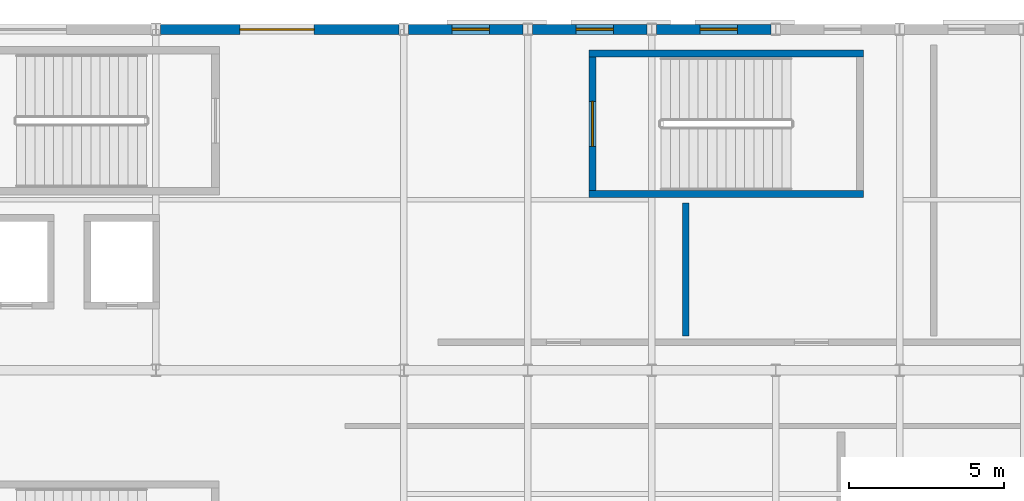
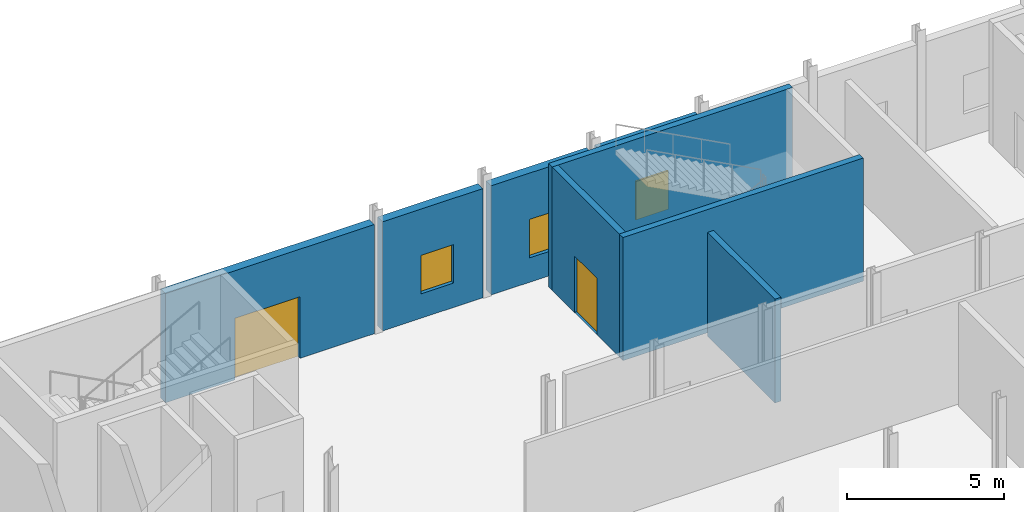
# One storey, part 80 of 101: 8 walls, 3 windows, 2 doors, 5 openings.
"""IFC4 building model written with IfcOpenShell, lengths in metres."""

from ifc_helpers import new_model, si_unit, derived_unit, direction, frame, frame_2d, origin, place, context, subcontext, project, spatial, rectangle, extrude, material, layer, layer_set, type_object, element, fill, save


model = new_model("IFC4")

# Units and contexts
model_context = context("Model", 3, precision=1e-05, world=origin(), true_north=direction((0.0, 1.0)))
body_context = subcontext(model_context, "Body", "Model", "MODEL_VIEW")
ifc_project = project(units=[si_unit("LENGTHUNIT", "METRE"), si_unit("AREAUNIT", "SQUARE_METRE"), si_unit("VOLUMEUNIT", "CUBIC_METRE"), si_unit("PLANEANGLEUNIT", "RADIAN"), si_unit("MASSUNIT", "GRAM", prefix="KILO"), derived_unit("THERMALTRANSMITTANCEUNIT", [(si_unit("POWERUNIT", "WATT"), 1), (si_unit("LENGTHUNIT", "METRE"), -2), (si_unit("THERMODYNAMICTEMPERATUREUNIT", "KELVIN"), -1)])], contexts=[model_context])

# Site, building, storey
site_placement = place(None, origin())
site = spatial("IfcSite", under=ifc_project, at=site_placement, CompositionType="ELEMENT")
building_placement = place(site_placement, origin())
building = spatial("IfcBuilding", under=site, at=building_placement, Name="Keldorne Ridge Multi-Sports Centre", CompositionType="ELEMENT")
storey_placement = place(building_placement, origin())
storey = spatial("IfcBuildingStorey", under=building, at=storey_placement, Name="L00", CompositionType="ELEMENT", Elevation=0.0)

# Wall
ifc_material_1 = material(Name="Moisture-resistant stud plumbing wall")
ifc_layer_1 = layer(ifc_material_1, 0.219970703125)
ifc_layer_set_1 = layer_set([ifc_layer_1])
wall_type_1 = type_object("IfcWallType", Name="WAL-PL-01", PredefinedType="PLUMBINGWALL", material=ifc_layer_set_1)
wall_1_placement = place(storey_placement, frame((129.10009765625, 107.10009765625, 0.0), z_axis=(0.0, 0.0, 1.0), x_axis=(0.0, 1.0, 0.0)))
element("IfcWall", 1, at=wall_1_placement, inside=storey, type_object=wall_type_1, Name="Ground WC/office divider IW-L00-029", PredefinedType="PLUMBINGWALL", context=body_context, shape_type="SweptSolid", body=[
    extrude(rectangle(XDim=4.2998046875, YDim=0.219970703125, at=frame_2d((2.14990234375, 0.0))), origin(), (0.0, 0.0, 1.0), 4.050048828125),
])

# Wall, opening, door
ifc_material_2 = material(Name="Precast concrete C40/50", Category="concrete")
ifc_layer_2 = layer(ifc_material_2, 0.320068359375)
ifc_layer_set_2 = layer_set([ifc_layer_2], Name="Precast concrete C40/50")
wall_type_2 = type_object("IfcWallType", Name="WAL-PR-W1", PredefinedType="STANDARD", material=ifc_layer_set_2)
wall_2_placement = place(storey_placement, frame((119.847900390625, 117.0, 0.0), z_axis=(0.0, 0.0, 1.0), x_axis=(-1.0, 0.0, 0.0)))
wall_2 = element("IfcWall", 2, at=wall_2_placement, inside=storey, type_object=wall_type_2, Name="East Wing L00 north facade 2", PredefinedType="STANDARD", context=body_context, shape_type="SweptSolid", body=[
    extrude(rectangle(XDim=7.69580078125, YDim=0.320068359375, at=frame_2d((3.847900390625, 0.0))), origin(), (0.0, 0.0, 1.0), 4.2548828125),
])
opening_1_placement = place(wall_2_placement, frame((2.738037109375, 0.0, 0.0)))
opening_1 = element("IfcOpeningElement", 3, at=opening_1_placement, cuts=wall_2, Name="Opening ED-01", PredefinedType="OPENING", context=body_context, shape_type="SweptSolid", body=[
    extrude(rectangle(XDim=2.39990234375, YDim=2.39990234375, at=frame_2d((1.199951171875, 1.199951171875))), frame((0.0, 0.169921875, 0.0), z_axis=(0.0, -1.0, 0.0), x_axis=(1.0, 0.0, 0.0)), (0.0, 0.0, 1.0), 0.340087890625),
])
ifc_material_3 = material(Name="Anodized aluminium", Category="aluminium")
door_type_1 = type_object("IfcDoorType", Name="DR-ED-01", OperationType="NOTDEFINED", PredefinedType="DOOR", material=ifc_material_3)
door_1_placement = place(opening_1_placement, origin())
door_1 = element("IfcDoor", 4, at=door_1_placement, inside=storey, type_object=door_type_1, Name="East Wing north exit door 2", OperationType="DOUBLE_DOOR_SINGLE_SWING", OverallHeight=2.39990234375, OverallWidth=2.39990234375, PredefinedType="DOOR", context=body_context, shape_type="SweptSolid", body=[
    extrude(rectangle(XDim=2.39990234375, YDim=2.39990234375, at=frame_2d((1.199951171875, 1.199951171875))), frame((0.0, 0.02490234375, 0.0), z_axis=(0.0, -1.0, 0.0), x_axis=(1.0, 0.0, 0.0)), (0.0, 0.0, 1.0), 0.050048828125),
])
fill(opening_1, door_1)

# Wall, opening, window
wall_3_placement = place(storey_placement, frame((123.847900390625, 117.0, 0.0), z_axis=(0.0, 0.0, 1.0), x_axis=(-1.0, 0.0, 0.0)))
wall_3 = element("IfcWall", 5, at=wall_3_placement, inside=storey, type_object=wall_type_2, Name="East Wing L00 north facade 3", PredefinedType="STANDARD", context=body_context, shape_type="SweptSolid", body=[
    extrude(rectangle(XDim=3.69580078125, YDim=0.320068359375, at=frame_2d((1.847900390625, 0.0))), origin(), (0.0, 0.0, 1.0), 4.2548828125),
])
opening_2_placement = place(wall_3_placement, frame((1.087890625, 0.0, 0.949951171875)))
opening_2 = element("IfcOpeningElement", 6, at=opening_2_placement, cuts=wall_3, Name="Opening W-03", PredefinedType="OPENING", context=body_context, shape_type="SweptSolid", body=[
    extrude(rectangle(XDim=1.199951171875, YDim=1.5, at=frame_2d((0.60009765625, 0.75))), frame((0.0, 0.169921875, 0.0), z_axis=(0.0, -1.0, 0.0), x_axis=(1.0, 0.0, 0.0)), (0.0, 0.0, 1.0), 0.340087890625),
])
window_type = type_object("IfcWindowType", Name="WIN-W-03", PartitioningType="SINGLE_PANEL", PredefinedType="WINDOW", material=ifc_material_3)
window_1_placement = place(opening_2_placement, origin())
window_1 = element("IfcWindow", 7, at=window_1_placement, inside=storey, type_object=window_type, Name="East Wing L00 north window W-041", OverallHeight=1.5, OverallWidth=1.199951171875, PartitioningType="SINGLE_PANEL", PredefinedType="WINDOW", context=body_context, shape_type="SweptSolid", body=[
    extrude(rectangle(XDim=1.199951171875, YDim=1.5, at=frame_2d((0.60009765625, 0.75))), frame((0.0, 0.030029296875, 0.0), z_axis=(0.0, -1.0, 0.0), x_axis=(1.0, 0.0, 0.0)), (0.0, 0.0, 1.0), 0.06005859375),
])
fill(opening_2, window_1)

wall_4_placement = place(storey_placement, frame((127.847900390625, 117.0, 0.0), z_axis=(0.0, 0.0, 1.0), x_axis=(-1.0, 0.0, 0.0)))
wall_4 = element("IfcWall", 8, at=wall_4_placement, inside=storey, type_object=wall_type_2, Name="East Wing L00 north facade 4", PredefinedType="STANDARD", context=body_context, shape_type="SweptSolid", body=[
    extrude(rectangle(XDim=3.69580078125, YDim=0.320068359375, at=frame_2d((1.847900390625, 0.0))), origin(), (0.0, 0.0, 1.0), 4.2548828125),
])
opening_3_placement = place(wall_4_placement, frame((1.087890625, 0.0, 0.949951171875)))
opening_3 = element("IfcOpeningElement", 9, at=opening_3_placement, cuts=wall_4, Name="Opening W-03", PredefinedType="OPENING", context=body_context, shape_type="SweptSolid", body=[
    extrude(rectangle(XDim=1.199951171875, YDim=1.5, at=frame_2d((0.60009765625, 0.75))), frame((0.0, 0.169921875, 0.0), z_axis=(0.0, -1.0, 0.0), x_axis=(1.0, 0.0, 0.0)), (0.0, 0.0, 1.0), 0.340087890625),
])
window_2_placement = place(opening_3_placement, origin())
window_2 = element("IfcWindow", 10, at=window_2_placement, inside=storey, type_object=window_type, Name="East Wing L00 north window W-042", OverallHeight=1.5, OverallWidth=1.199951171875, PartitioningType="SINGLE_PANEL", PredefinedType="WINDOW", context=body_context, shape_type="SweptSolid", body=[
    extrude(rectangle(XDim=1.199951171875, YDim=1.5, at=frame_2d((0.60009765625, 0.75))), frame((0.0, 0.030029296875, 0.0), z_axis=(0.0, -1.0, 0.0), x_axis=(1.0, 0.0, 0.0)), (0.0, 0.0, 1.0), 0.06005859375),
])
fill(opening_3, window_2)

wall_5_placement = place(storey_placement, frame((131.847900390625, 117.0, 0.0), z_axis=(0.0, 0.0, 1.0), x_axis=(-1.0, 0.0, 0.0)))
wall_5 = element("IfcWall", 11, at=wall_5_placement, inside=storey, type_object=wall_type_2, Name="East Wing L00 north facade 5", PredefinedType="STANDARD", context=body_context, shape_type="SweptSolid", body=[
    extrude(rectangle(XDim=3.69580078125, YDim=0.320068359375, at=frame_2d((1.847900390625, 0.0))), origin(), (0.0, 0.0, 1.0), 4.2548828125),
])
opening_4_placement = place(wall_5_placement, frame((1.087890625, 0.0, 0.949951171875)))
opening_4 = element("IfcOpeningElement", 12, at=opening_4_placement, cuts=wall_5, Name="Opening W-03", PredefinedType="OPENING", context=body_context, shape_type="SweptSolid", body=[
    extrude(rectangle(XDim=1.199951171875, YDim=1.5, at=frame_2d((0.60009765625, 0.75))), frame((0.0, 0.169921875, 0.0), z_axis=(0.0, -1.0, 0.0), x_axis=(1.0, 0.0, 0.0)), (0.0, 0.0, 1.0), 0.340087890625),
])
window_3_placement = place(opening_4_placement, origin())
window_3 = element("IfcWindow", 13, at=window_3_placement, inside=storey, type_object=window_type, Name="East Wing L00 north window W-043", OverallHeight=1.5, OverallWidth=1.199951171875, PartitioningType="SINGLE_PANEL", PredefinedType="WINDOW", context=body_context, shape_type="SweptSolid", body=[
    extrude(rectangle(XDim=1.199951171875, YDim=1.5, at=frame_2d((0.60009765625, 0.75))), frame((0.0, 0.030029296875, 0.0), z_axis=(0.0, -1.0, 0.0), x_axis=(1.0, 0.0, 0.0)), (0.0, 0.0, 1.0), 0.06005859375),
])
fill(opening_4, window_3)

# Wall, opening, door
ifc_material_4 = material(Name="Concrete C40/50", Category="concrete")
ifc_layer_3 = layer(ifc_material_4, 0.22998046875)
ifc_layer_set_3 = layer_set([ifc_layer_3], Name="Concrete C40/50")
wall_type_3 = type_object("IfcWallType", Name="WAL-SW02", PredefinedType="SHEAR", material=ifc_layer_set_3)
wall_6_placement = place(storey_placement, frame((126.0849609375, 111.800048828125, 0.0), z_axis=(0.0, 0.0, 1.0), x_axis=(0.0, 1.0, 0.0)))
wall_6 = element("IfcWall", 14, at=wall_6_placement, inside=storey, type_object=wall_type_3, Name="Stair ST-10 shaft wall L00 NEAR", PredefinedType="SHEAR", context=body_context, shape_type="SweptSolid", body=[
    extrude(rectangle(XDim=4.300048828125, YDim=0.22998046875, at=frame_2d((2.14990234375, 0.0))), origin(), (0.0, 0.0, 1.0), 4.800048828125),
])
opening_5_placement = place(wall_6_placement, frame((1.425048828125, 0.0, 0.0)))
opening_5 = element("IfcOpeningElement", 15, at=opening_5_placement, cuts=wall_6, Name="Opening D-05", PredefinedType="OPENING", context=body_context, shape_type="SweptSolid", body=[
    extrude(rectangle(XDim=1.449951171875, YDim=2.199951171875, at=frame_2d((0.72509765625, 1.10009765625))), frame((0.0, 0.125, 0.0), z_axis=(0.0, -1.0, 0.0), x_axis=(1.0, 0.0, 0.0)), (0.0, 0.0, 1.0), 0.25),
])
ifc_material_5 = material(Name="Steel fire-resisting pair", Category="steel")
door_type_2 = type_object("IfcDoorType", Name="DR-D-05", OperationType="NOTDEFINED", PredefinedType="DOOR", material=ifc_material_5)
door_2_placement = place(opening_5_placement, origin())
door_2 = element("IfcDoor", 16, at=door_2_placement, inside=storey, type_object=door_type_2, Name="Stair ST-10 L00 fire door D-039", OperationType="DOUBLE_DOOR_SINGLE_SWING", OverallHeight=2.199951171875, OverallWidth=1.449951171875, PredefinedType="DOOR", context=body_context, shape_type="SweptSolid", body=[
    extrude(rectangle(XDim=1.449951171875, YDim=2.199951171875, at=frame_2d((0.72509765625, 1.10009765625))), frame((0.0, 0.02490234375, 0.0), z_axis=(0.0, -1.0, 0.0), x_axis=(1.0, 0.0, 0.0)), (0.0, 0.0, 1.0), 0.050048828125),
])
fill(opening_5, door_2)

# Walls
for number, where, z_axis, x_axis, name in (
    (17, (125.969970703125, 111.68505859375, 0.0), (0.0, 0.0, 1.0), (1.0, 0.0, 0.0), "Stair ST-10 shaft wall L00 SOUTH"),
    (18, (134.830078125, 116.215087890625, 0.0), (0.0, 0.0, 1.0), (-1.0, 0.0, 0.0), "Stair ST-10 shaft wall L00 NORTH"),
):
    element("IfcWall", number, at=place(storey_placement, frame(where, z_axis=z_axis, x_axis=x_axis)), inside=storey, type_object=wall_type_3, Name=name, PredefinedType="SHEAR", context=body_context, shape_type="SweptSolid", body=[
        extrude(rectangle(XDim=8.860107421875, YDim=0.22998046875, at=frame_2d((4.43017578125, 0.0))), origin(), (0.0, 0.0, 1.0), 4.800048828125),
    ])

save(model, "model.ifc")
